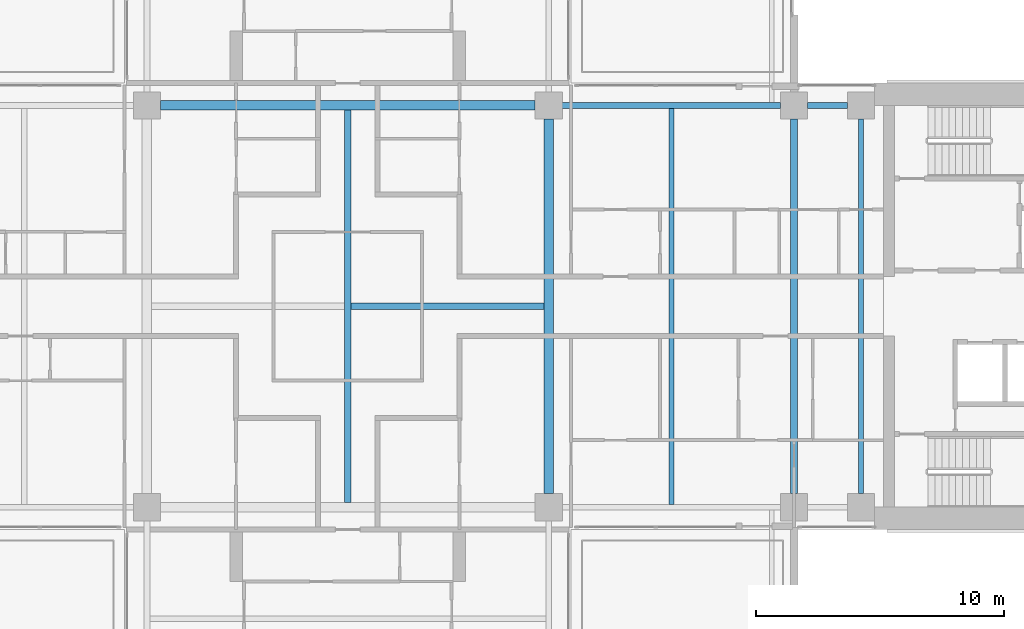
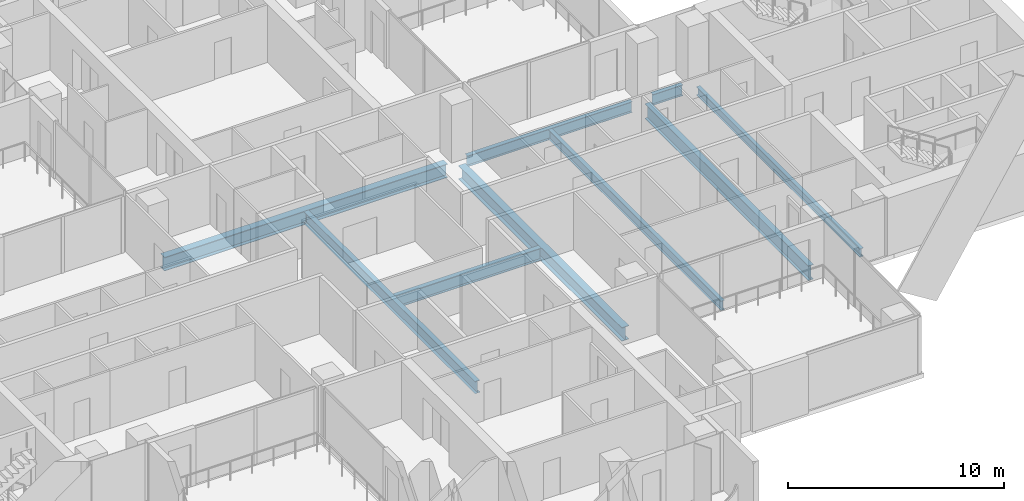
# One storey, part 4 of 19: 9 beams.
"""IFC4 building model written with IfcOpenShell, lengths in metres."""

from ifc_helpers import new_model, si_unit, direction, frame, origin, origin_2d, place, context, subcontext, project, spatial, i_section, extrude, material, material_profile, profile_set, type_object, element, save


model = new_model("IFC4")

# Units and contexts
model_context = context("Model", 3, precision=1e-05, world=origin(), true_north=direction((0.0, 1.0)))
body_context = subcontext(model_context, "Body", "Model", "MODEL_VIEW")
ifc_project = project(units=[si_unit("LENGTHUNIT", "METRE"), si_unit("AREAUNIT", "SQUARE_METRE"), si_unit("VOLUMEUNIT", "CUBIC_METRE"), si_unit("PLANEANGLEUNIT", "RADIAN"), si_unit("MASSUNIT", "GRAM", prefix="KILO")], contexts=[model_context])

# Site, building, storey
site_placement = place(None, origin())
site = spatial("IfcSite", under=ifc_project, at=site_placement, CompositionType="ELEMENT")
building_placement = place(site_placement, origin())
building = spatial("IfcBuilding", under=site, at=building_placement, Name="Perihelion Cross Residences", CompositionType="ELEMENT")
storey_placement = place(building_placement, frame((0.0, 0.0, 105.89990234375)))
storey = spatial("IfcBuildingStorey", under=building, at=storey_placement, Name="L24", CompositionType="ELEMENT", Elevation=105.89990234375)

# Beams
ifc_material_1 = material(Name="Steel S355", Category="steel")
ifc_material_profile_1 = material_profile(ifc_material_1, i_section(OverallWidth=0.194091796875, OverallDepth=0.469970703125, WebThickness=0.0126953125, FlangeThickness=0.0205078125, at=origin_2d()), Name="W460x106")
ifc_profile_set_1 = profile_set([ifc_material_profile_1], Name="Steel S355")
beam_type_1 = type_object("IfcBeamType", Name="Core edge beam W460x106", PredefinedType="BEAM", material=ifc_profile_set_1)
beam_1_placement = place(storey_placement, frame((20.699951171875, -7.550048828125, -0.48486328125), z_axis=(0.0, 1.0, 0.0), x_axis=(-1.0, 0.0, 0.0)))
element("IfcBeam", 1, at=beam_1_placement, inside=storey, type_object=beam_type_1, Name="Core edge beam TB5 L24 no. 2", PredefinedType="BEAM", context=body_context, shape_type="SweptSolid", body=[
    extrude(i_section(OverallWidth=0.194091796875, OverallDepth=0.469970703125, WebThickness=0.0126953125, FlangeThickness=0.0205078125, at=origin_2d()), origin(), (0.0, 0.0, 1.0), 15.10009765625),
])
ifc_material_2 = material(Name="Steel S355", Category="steel")
ifc_material_profile_2 = material_profile(ifc_material_2, i_section(OverallWidth=0.22900390625, OverallDepth=0.612060546875, WebThickness=0.011962890625, FlangeThickness=0.01953125, at=origin_2d()), Name="W610x125")
ifc_profile_set_2 = profile_set([ifc_material_profile_2], Name="Steel S355")
beam_type_2 = type_object("IfcBeamType", Name="Edge beam W610x125", PredefinedType="SPANDREL", material=ifc_profile_set_2)
beam_2_placement = place(storey_placement, frame((20.14990234375, 8.10009765625, -0.555908203125), z_axis=(-1.0, 0.0, 0.0), x_axis=(0.0, -1.0, 0.0)))
element("IfcBeam", 2, at=beam_2_placement, inside=storey, type_object=beam_type_2, Name="Edge beam SB3 L24 no. 13", PredefinedType="SPANDREL", context=body_context, shape_type="SweptSolid", body=[
    extrude(i_section(OverallWidth=0.22900390625, OverallDepth=0.612060546875, WebThickness=0.011962890625, FlangeThickness=0.01953125, at=origin_2d()), origin(), (0.0, 0.0, 1.0), 1.599853515625),
])
beam_3_placement = place(storey_placement, frame((17.449951171875, 8.10009765625, -0.555908203125), z_axis=(-1.0, 0.0, 0.0), x_axis=(0.0, -1.0, 0.0)))
element("IfcBeam", 3, at=beam_3_placement, inside=storey, type_object=beam_type_2, Name="Edge beam SB3 L24 no. 12", PredefinedType="SPANDREL", context=body_context, shape_type="SweptSolid", body=[
    extrude(i_section(OverallWidth=0.22900390625, OverallDepth=0.612060546875, WebThickness=0.011962890625, FlangeThickness=0.01953125, at=origin_2d()), origin(), (0.0, 0.0, 1.0), 8.800048828125),
])
ifc_material_3 = material(Name="Steel S355", Category="steel")
ifc_material_profile_3 = material_profile(ifc_material_3, i_section(OverallWidth=0.2919921875, OverallDepth=0.8359375, WebThickness=0.013916015625, FlangeThickness=0.018798828125, at=origin_2d()), Name="W840x176")
ifc_profile_set_3 = profile_set([ifc_material_profile_3], Name="Steel S355")
beam_type_3 = type_object("IfcBeamType", Name="Floor girder W840x176", PredefinedType="BEAM", material=ifc_profile_set_3)
beam_4_placement = place(storey_placement, frame((18.0, -7.550048828125, -0.66796875), z_axis=(0.0, 1.0, 0.0), x_axis=(-1.0, 0.0, 0.0)))
element("IfcBeam", 4, at=beam_4_placement, inside=storey, type_object=beam_type_3, Name="Girder G3 L24 no. 2", PredefinedType="BEAM", context=body_context, shape_type="SweptSolid", body=[
    extrude(i_section(OverallWidth=0.2919921875, OverallDepth=0.8359375, WebThickness=0.013916015625, FlangeThickness=0.018798828125, at=origin_2d()), origin(), (0.0, 0.0, 1.0), 15.10009765625),
])
ifc_material_4 = material(Name="Steel S355", Category="steel")
ifc_material_profile_4 = material_profile(ifc_material_4, i_section(OverallWidth=0.208984375, OverallDepth=0.532958984375, WebThickness=0.01025390625, FlangeThickness=0.015625, at=origin_2d()), Name="W530x92")
ifc_profile_set_4 = profile_set([ifc_material_profile_4], Name="Steel S355")
beam_type_4 = type_object("IfcBeamType", Name="Floor joist W530x92", PredefinedType="JOIST", material=ifc_profile_set_4)
beam_5_placement = place(storey_placement, frame((13.050048828125, -7.985595703125, -0.516357421875), z_axis=(0.0, 1.0, 0.0), x_axis=(-1.0, 0.0, 0.0)))
element("IfcBeam", 5, at=beam_5_placement, inside=storey, type_object=beam_type_4, Name="Joist J4 L24 no. 2", PredefinedType="JOIST", context=body_context, shape_type="SweptSolid", body=[
    extrude(i_section(OverallWidth=0.208984375, OverallDepth=0.532958984375, WebThickness=0.01025390625, FlangeThickness=0.015625, at=origin_2d()), origin(), (0.0, 0.0, 1.0), 15.97119140625),
])
ifc_material_5 = material(Name="Steel S355", Category="steel")
ifc_material_profile_5 = material_profile(ifc_material_5, i_section(OverallWidth=0.257080078125, OverallDepth=0.693115234375, WebThickness=0.014404296875, FlangeThickness=0.023681640625, at=origin_2d()), Name="W690x170")
ifc_profile_set_5 = profile_set([ifc_material_profile_5], Name="Steel S355")
beam_type_5 = type_object("IfcBeamType", Name="Hub cross beam W690x170", PredefinedType="BEAM", material=ifc_profile_set_5)
beam_6_placement = place(storey_placement, frame((0.0, -7.909423828125, -0.596435546875), z_axis=(0.0, 1.0, 0.0), x_axis=(-1.0, 0.0, 0.0)))
element("IfcBeam", 6, at=beam_6_placement, inside=storey, type_object=beam_type_5, Name="Hub cross beam XB3 L24 no. 1", PredefinedType="BEAM", context=body_context, shape_type="SweptSolid", body=[
    extrude(i_section(OverallWidth=0.257080078125, OverallDepth=0.693115234375, WebThickness=0.014404296875, FlangeThickness=0.023681640625, at=origin_2d()), origin(), (0.0, 0.0, 1.0), 15.81884765625),
])
beam_7_placement = place(storey_placement, frame((0.12841796875, 0.0, -0.596435546875), z_axis=(1.0, 0.0, 0.0), x_axis=(0.0, 1.0, 0.0)))
element("IfcBeam", 7, at=beam_7_placement, inside=storey, type_object=beam_type_5, Name="Hub cross beam XB3 L24 2 no. 1", PredefinedType="BEAM", context=body_context, shape_type="SweptSolid", body=[
    extrude(i_section(OverallWidth=0.257080078125, OverallDepth=0.693115234375, WebThickness=0.014404296875, FlangeThickness=0.023681640625, at=origin_2d()), origin(), (0.0, 0.0, 1.0), 7.781005859375),
])
ifc_material_6 = material(Name="Steel S355", Category="steel")
ifc_material_profile_6 = material_profile(ifc_material_6, i_section(OverallWidth=0.381103515625, OverallDepth=0.77197265625, WebThickness=0.0166015625, FlangeThickness=0.027099609375, at=origin_2d()), Name="W760x257")
ifc_profile_set_6 = profile_set([ifc_material_profile_6], Name="Steel S355")
beam_type_6 = type_object("IfcBeamType", Name="Hub ring girder W760x257", PredefinedType="BEAM", material=ifc_profile_set_6)
for number, where, z_axis, x_axis, name in (
    (8, (8.10009765625, -7.550048828125, -0.635986328125), (0.0, 1.0, 0.0), (-1.0, 0.0, 0.0), "Hub ring girder RG3 L24 no. 3"),
    (9, (7.550048828125, 8.10009765625, -0.635986328125), (-1.0, 0.0, 0.0), (0.0, -1.0, 0.0), "Hub ring girder RG3 L24 no. 4"),
):
    element("IfcBeam", number, at=place(storey_placement, frame(where, z_axis=z_axis, x_axis=x_axis)), inside=storey, type_object=beam_type_6, Name=name, PredefinedType="BEAM", context=body_context, shape_type="SweptSolid", body=[
        extrude(i_section(OverallWidth=0.381103515625, OverallDepth=0.77197265625, WebThickness=0.0166015625, FlangeThickness=0.027099609375, at=origin_2d()), origin(), (0.0, 0.0, 1.0), 15.10009765625),
    ])

save(model, "model.ifc")
